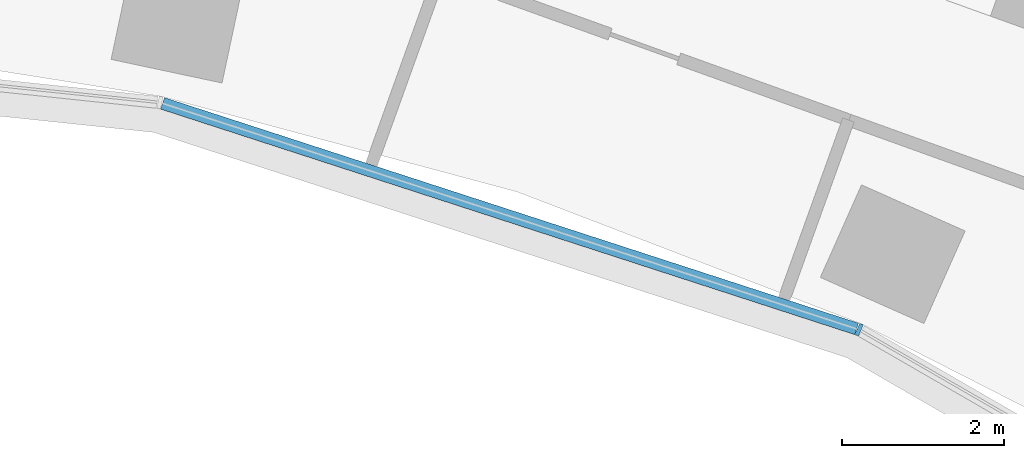
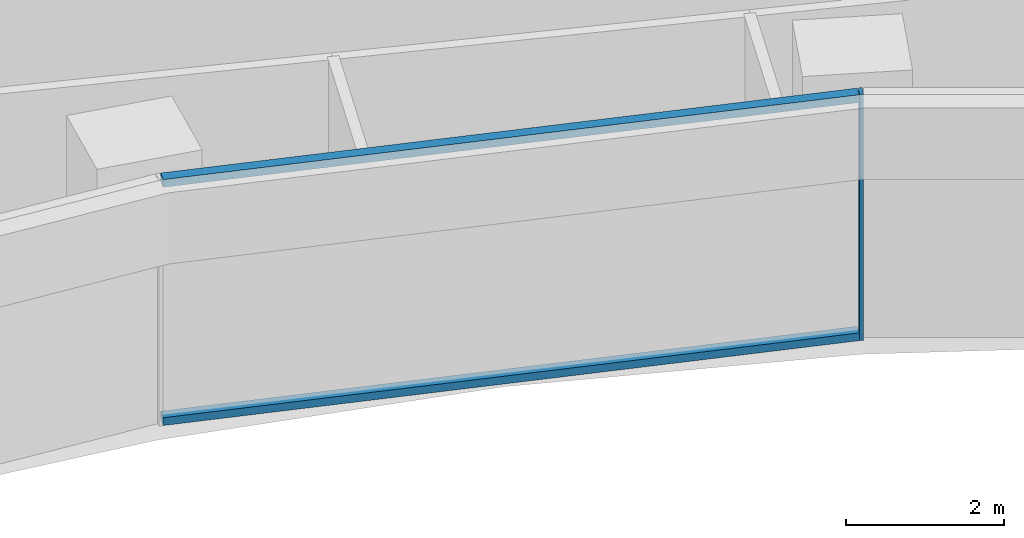
# One storey, part 10 of 24: 3 members, 1 element without a shape of its own.
"""IFC4 building model written with IfcOpenShell, lengths in metres."""

from ifc_helpers import new_model, si_unit, direction, frame, origin, origin_2d, place, context, subcontext, project, spatial, rectangle, extrude, material, layer, layer_set, material_profile, profile_set, type_object, element, aggregate, save


model = new_model("IFC4")

# Units and contexts
model_context = context("Model", 3, precision=1e-05, world=origin(), true_north=direction((0.0, 1.0)))
body_context = subcontext(model_context, "Body", "Model", "MODEL_VIEW")
ifc_project = project(units=[si_unit("LENGTHUNIT", "METRE"), si_unit("AREAUNIT", "SQUARE_METRE"), si_unit("VOLUMEUNIT", "CUBIC_METRE"), si_unit("PLANEANGLEUNIT", "RADIAN"), si_unit("MASSUNIT", "GRAM", prefix="KILO")], contexts=[model_context])

# Site, building, storey
site_placement = place(None, origin())
site = spatial("IfcSite", under=ifc_project, at=site_placement, CompositionType="ELEMENT")
building_placement = place(site_placement, origin())
building = spatial("IfcBuilding", under=site, at=building_placement, Name="Stone Belt Terrace Tower", CompositionType="ELEMENT")
storey_placement = place(building_placement, frame((0.0, 0.0, 41.39990234375)))
storey = spatial("IfcBuildingStorey", under=building, at=storey_placement, Name="L09", CompositionType="ELEMENT", Elevation=41.39990234375)

# Curtain wall, members
ifc_material = material(Name="Aluminium 6063-T6 anodised frame", Category="aluminium")
ifc_layer = layer(ifc_material, 0.14990234375)
ifc_layer_set = layer_set([ifc_layer], Name="CW-B unitised concave-face curtain wall")
curtain_wall_type = type_object("IfcCurtainWallType", Name="CW-B unitised concave-face curtain wall", PredefinedType="NOTDEFINED", material=ifc_layer_set)
curtain_wall_placement = place(storey_placement, origin())
curtain_wall = element("IfcCurtainWall", 1, at=curtain_wall_placement, inside=storey, type_object=curtain_wall_type, Name="CW-B concave face L09", PredefinedType="NOTDEFINED")
ifc_material_profile_1 = material_profile(ifc_material, rectangle(XDim=0.14990234375, YDim=0.050048828125, at=origin_2d()), Name="Aluminium 6063-T6 50x150")
ifc_profile_set_1 = profile_set([ifc_material_profile_1], Name="Aluminium 6063-T6 anodised frame")
member_type_1 = type_object("IfcMemberType", Name="CW-B mullion 50 x 150", PredefinedType="MULLION", material=ifc_profile_set_1)
member_1_placement = place(storey_placement, frame((17.662353515625, 39.67041015625, 0.0), z_axis=(0.0, 0.0, 1.0), x_axis=(0.406736643076, 0.913545457643, 0.0)))
member_1 = element("IfcMember", 2, at=member_1_placement, type_object=member_type_1, Name="CW-B mullion 8", PredefinedType="MULLION", context=body_context, shape_type="SweptSolid", body=[
    extrude(rectangle(XDim=0.14990234375, YDim=0.050048828125, at=origin_2d()), origin(), (0.0, 0.0, 1.0), 3.800048828125),
])
ifc_material_profile_2 = material_profile(ifc_material, rectangle(XDim=0.14990234375, YDim=0.1201171875, at=origin_2d()), Name="Aluminium 6063-T6 150x120")
ifc_profile_set_2 = profile_set([ifc_material_profile_2], Name="Aluminium 6063-T6 anodised frame")
member_type_2 = type_object("IfcMemberType", Name="CW-B transom 120 x 150", PredefinedType="USERDEFINED", material=ifc_profile_set_2)
member_2_placement = place(storey_placement, frame((9.0595703125, 42.465576171875, 0.06005859375), z_axis=(0.951055963285, -0.309018696359, 0.0), x_axis=(0.309018696359, 0.951055963285, 0.0)))
member_2 = element("IfcMember", 3, at=member_2_placement, type_object=member_type_2, Name="CW-B transom 7.1", ObjectType="TRANSOM", PredefinedType="USERDEFINED", context=body_context, shape_type="SweptSolid", body=[
    extrude(rectangle(XDim=0.14990234375, YDim=0.1201171875, at=origin_2d()), origin(), (0.0, 0.0, 1.0), 9.012939453125),
])
member_3_placement = place(storey_placement, frame((9.0595703125, 42.465576171875, 3.739990234375), z_axis=(0.951055963285, -0.309018696359, 0.0), x_axis=(0.309018696359, 0.951055963285, 0.0)))
member_3 = element("IfcMember", 4, at=member_3_placement, type_object=member_type_2, Name="CW-B transom 7.2", ObjectType="TRANSOM", PredefinedType="USERDEFINED", context=body_context, shape_type="SweptSolid", body=[
    extrude(rectangle(XDim=0.14990234375, YDim=0.1201171875, at=origin_2d()), origin(), (0.0, 0.0, 1.0), 9.012939453125),
])
aggregate(curtain_wall, [member_1, member_2, member_3])

save(model, "model.ifc")
